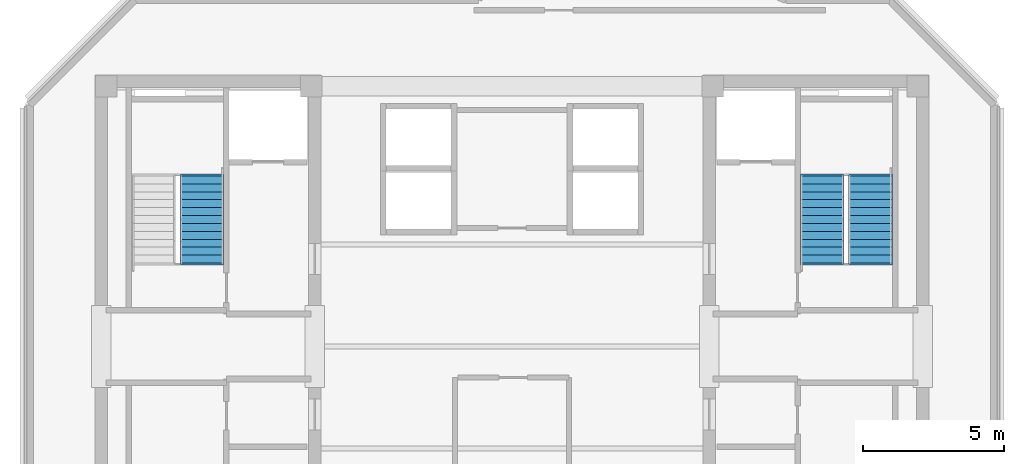
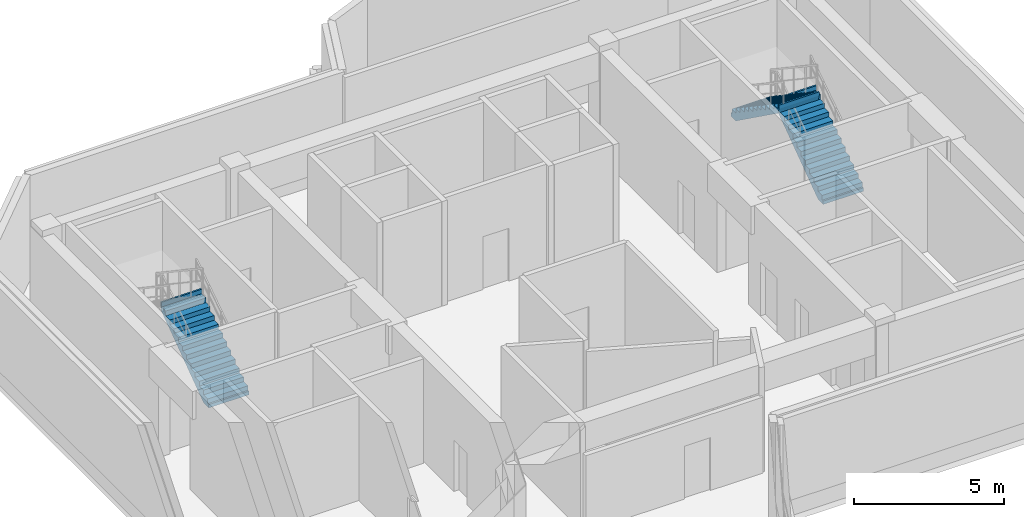
# One storey, part 4 of 6: 3 stair flights, 2 elements without a shape of their own.
"""IFC4 building model written with IfcOpenShell, lengths in metres."""

from ifc_helpers import new_model, si_unit, direction, frame, origin, place, context, subcontext, project, spatial, polyline, outline, extrude, material, type_object, element, aggregate, save


model = new_model("IFC4")

# Units and contexts
model_context = context("Model", 3, precision=1e-05, world=origin(), true_north=direction((0.0, 1.0)))
body_context = subcontext(model_context, "Body", "Model", "MODEL_VIEW")
ifc_project = project(units=[si_unit("LENGTHUNIT", "METRE"), si_unit("AREAUNIT", "SQUARE_METRE"), si_unit("VOLUMEUNIT", "CUBIC_METRE"), si_unit("PLANEANGLEUNIT", "RADIAN"), si_unit("MASSUNIT", "GRAM", prefix="KILO")], contexts=[model_context])

# Site, building, storey
site_placement = place(None, origin())
site = spatial("IfcSite", under=ifc_project, at=site_placement, CompositionType="ELEMENT")
building_placement = place(site_placement, origin())
building = spatial("IfcBuilding", under=site, at=building_placement, Name="Zahravan Cultural Tower", CompositionType="ELEMENT")
storey_placement = place(building_placement, frame((0.0, 0.0, 370.64990234375)))
storey = spatial("IfcBuildingStorey", under=building, at=storey_placement, Name="L90", CompositionType="ELEMENT", Elevation=370.64990234375)

# Stair, stair flight
ifc_material = material(Name="Concrete C45/55", Category="concrete")
stair_type = type_object("IfcStairType", Name="STR-DL-1550-450", PredefinedType="HALF_TURN_STAIR", material=ifc_material)
stair_1_placement = place(storey_placement, origin())
stair_1 = element("IfcStair", 1, at=stair_1_placement, inside=storey, type_object=stair_type, Name="L90 West Core North Exit Stair ST-W1", PredefinedType="HALF_TURN_STAIR")
stair_flight_type = type_object("IfcStairFlightType", Name="FLG-DL-1550-450", PredefinedType="STRAIGHT", material=ifc_material)
stair_flight_1_placement = place(storey_placement, frame((25.02490234375, 29.949951171875, 0.0), z_axis=(0.0, 0.0, 1.0), x_axis=(0.0, 1.0, 0.0)))
stair_flight_1 = element("IfcStairFlight", 2, at=stair_flight_1_placement, type_object=stair_flight_type, Name="ST-W1 flight 1", NumberOfRisers=12, NumberOfTreads=11, PredefinedType="STRAIGHT", RiserHeight=0.1875, TreadLength=0.28, context=body_context, shape_type="SweptSolid", body=[
    extrude(outline(polyline([(-0.06494140625, -0.139892578125), (-0.06494140625, 0.0), (0.0, 0.0), (0.0, 0.1875), (0.280029296875, 0.1875), (0.280029296875, 0.375), (0.56005859375, 0.375), (0.56005859375, 0.5625), (0.840087890625, 0.5625), (0.840087890625, 0.75), (1.1201171875, 0.75), (1.1201171875, 0.9375), (1.39990234375, 0.9375), (1.39990234375, 1.125), (1.679931640625, 1.125), (1.679931640625, 1.3125), (1.9599609375, 1.3125), (1.9599609375, 1.5), (2.239990234375, 1.5), (2.239990234375, 1.6875), (2.52001953125, 1.6875), (2.52001953125, 1.875), (2.800048828125, 1.875), (2.800048828125, 2.0625), (3.080078125, 2.0625), (3.080078125, 2.25), (3.14501953125, 2.25), (3.14501953125, 2.10009765625), (3.080078125, 1.882080078125), (0.26953125, -0.139892578125), (-0.06494140625, -0.139892578125)])), frame((0.0, 0.77490234375, 0.0), z_axis=(0.0, -1.0, 0.0), x_axis=(1.0, 0.0, 0.0)), (0.0, 0.0, 1.0), 1.550048828125),
])
aggregate(stair_1, [stair_flight_1])

# Stair, stair flights
stair_2_placement = place(storey_placement, origin())
stair_2 = element("IfcStair", 3, at=stair_2_placement, inside=storey, type_object=stair_type, Name="L90 East Core North Exit Stair ST-E1", PredefinedType="HALF_TURN_STAIR")
stair_flight_2_placement = place(storey_placement, frame((48.675048828125, 29.949951171875, 0.0), z_axis=(0.0, 0.0, 1.0), x_axis=(0.0, 1.0, 0.0)))
stair_flight_2 = element("IfcStairFlight", 4, at=stair_flight_2_placement, type_object=stair_flight_type, Name="ST-E1 flight 1", NumberOfRisers=12, NumberOfTreads=11, PredefinedType="STRAIGHT", RiserHeight=0.1875, TreadLength=0.28, context=body_context, shape_type="SweptSolid", body=[
    extrude(outline(polyline([(-0.06494140625, -0.139892578125), (-0.06494140625, 0.0), (0.0, 0.0), (0.0, 0.1875), (0.280029296875, 0.1875), (0.280029296875, 0.375), (0.56005859375, 0.375), (0.56005859375, 0.5625), (0.840087890625, 0.5625), (0.840087890625, 0.75), (1.1201171875, 0.75), (1.1201171875, 0.9375), (1.39990234375, 0.9375), (1.39990234375, 1.125), (1.679931640625, 1.125), (1.679931640625, 1.3125), (1.9599609375, 1.3125), (1.9599609375, 1.5), (2.239990234375, 1.5), (2.239990234375, 1.6875), (2.52001953125, 1.6875), (2.52001953125, 1.875), (2.800048828125, 1.875), (2.800048828125, 2.0625), (3.080078125, 2.0625), (3.080078125, 2.25), (3.14501953125, 2.25), (3.14501953125, 2.10009765625), (3.080078125, 1.882080078125), (0.26953125, -0.139892578125), (-0.06494140625, -0.139892578125)])), frame((0.0, 0.77490234375, 0.0), z_axis=(0.0, -1.0, 0.0), x_axis=(1.0, 0.0, 0.0)), (0.0, 0.0, 1.0), 1.550048828125),
])
stair_flight_3_placement = place(storey_placement, frame((46.97509765625, 33.030029296875, 2.25), z_axis=(0.0, 0.0, 1.0), x_axis=(0.0, -1.0, 0.0)))
stair_flight_3 = element("IfcStairFlight", 5, at=stair_flight_3_placement, type_object=stair_flight_type, Name="ST-E1 flight 2", NumberOfRisers=12, NumberOfTreads=11, PredefinedType="STRAIGHT", RiserHeight=0.1875, TreadLength=0.28, context=body_context, shape_type="SweptSolid", body=[
    extrude(outline(polyline([(-0.06494140625, -0.139892578125), (-0.06494140625, 0.0), (0.0, 0.0), (0.0, 0.1875), (0.280029296875, 0.1875), (0.280029296875, 0.375), (0.56005859375, 0.375), (0.56005859375, 0.5625), (0.840087890625, 0.5625), (0.840087890625, 0.75), (1.1201171875, 0.75), (1.1201171875, 0.9375), (1.39990234375, 0.9375), (1.39990234375, 1.125), (1.679931640625, 1.125), (1.679931640625, 1.3125), (1.9599609375, 1.3125), (1.9599609375, 1.5), (2.239990234375, 1.5), (2.239990234375, 1.6875), (2.52001953125, 1.6875), (2.52001953125, 1.875), (2.800048828125, 1.875), (2.800048828125, 2.0625), (3.080078125, 2.0625), (3.080078125, 2.25), (3.14501953125, 2.25), (3.14501953125, 2.10009765625), (3.080078125, 1.882080078125), (0.26953125, -0.139892578125), (-0.06494140625, -0.139892578125)])), frame((0.0, 0.77490234375, 0.0), z_axis=(0.0, -1.0, 0.0), x_axis=(1.0, 0.0, 0.0)), (0.0, 0.0, 1.0), 1.550048828125),
])
aggregate(stair_2, [stair_flight_2, stair_flight_3])

save(model, "model.ifc")
